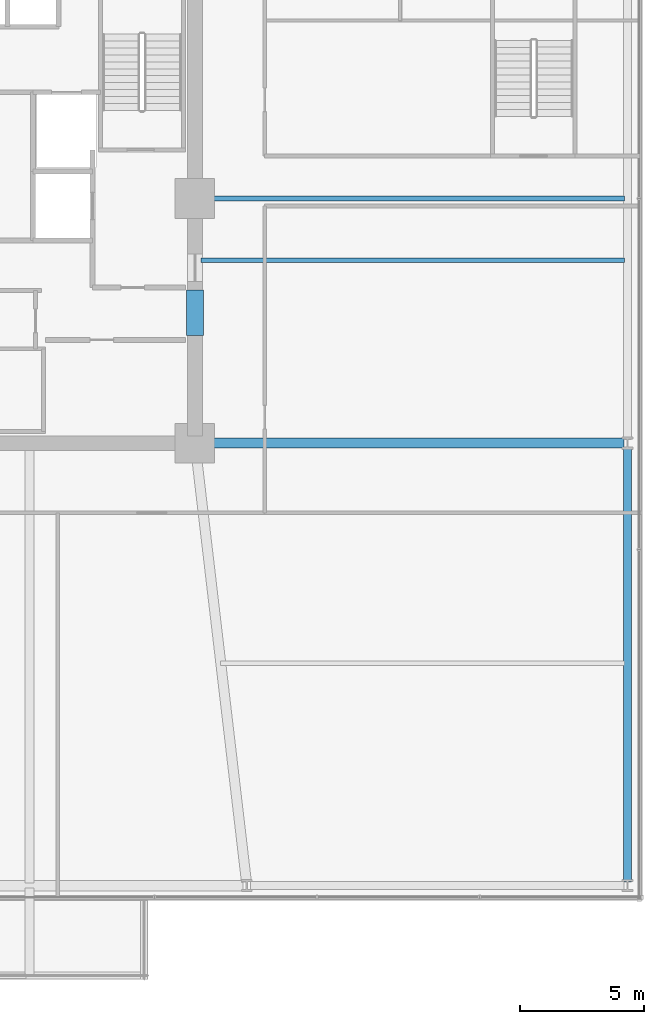
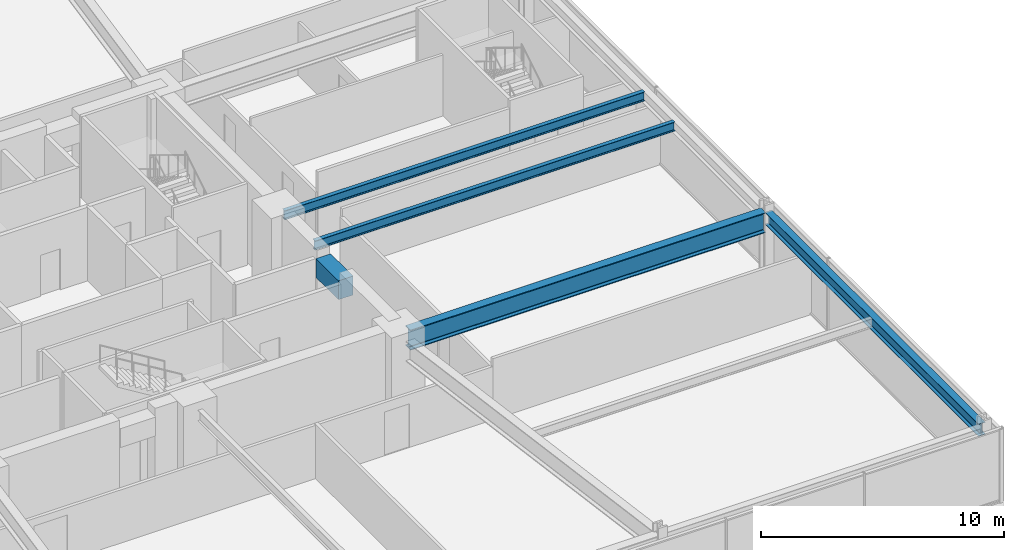
# One storey, part 16 of 39: 5 beams.
"""IFC4 building model written with IfcOpenShell, lengths in metres."""

import ifcopenshell
import ifcopenshell.guid

model = None  # the IFC model being written
_history = None  # IfcOwnerHistory: only IFC2X3 demands one
_inside = {}  # id of a spatial element -> (the spatial element, [elements in it])
_under = {}  # id of a project, library or spatial element -> (it, [spatial elements below it])
_declared = {}  # id of a project -> (the project, [libraries it declares])
_typed = {}  # id of a type object -> (the type object, [elements of that type])
_made_of = {}  # id of a material, layer set ... -> (it, [elements and type objects made of it])


def new_model(schema):
    """Start an empty IFC model of exactly this schema.

    Asked for "IFC4X3", IfcOpenShell would pick the latest addendum, in which some entities
    have other attributes; the version numbers below select the first issue.
    IFC2X3 requires an IfcOwnerHistory on every rooted entity: one is made here for all.
    """
    global model, _history
    if schema == "IFC4X3":
        model = ifcopenshell.file(schema_version=(4, 3, 0, 0))
    else:
        model = ifcopenshell.file(schema=schema)
    _inside.clear()
    _under.clear()
    _declared.clear()
    _typed.clear()
    _made_of.clear()
    _history = None
    if model.schema == "IFC2X3":
        org = make("IfcOrganization", Name="unknown")
        user = make(
            "IfcPersonAndOrganization",
            ThePerson=make("IfcPerson", FamilyName="unknown"),
            TheOrganization=org,
        )
        app = make(
            "IfcApplication",
            ApplicationDeveloper=org,
            Version="unknown",
            ApplicationFullName="unknown",
            ApplicationIdentifier="unknown",
        )
        _history = make(
            "IfcOwnerHistory",
            OwningUser=user,
            OwningApplication=app,
            ChangeAction="ADDED",
            CreationDate=0,
        )
    return model


def make(cls, **values):
    """One entity of the class cls with the attributes given. An attribute that is None is left unset."""
    return model.create_entity(
        cls, **{name: value for name, value in values.items() if value is not None}
    )


def rooted(cls, **values):
    """An entity with a GlobalId (a new one), such as an element, a storey or a relation."""
    return make(cls, GlobalId=ifcopenshell.guid.new(), OwnerHistory=_history, **values)


def si_unit(unit_type, name, prefix=None):
    """IfcSIUnit, for example si_unit("LENGTHUNIT", "METRE", prefix="MILLI")."""
    return make("IfcSIUnit", UnitType=unit_type, Prefix=prefix, Name=name)


def assignment(units):
    """IfcUnitAssignment: the units of a project."""
    return None if units is None else make("IfcUnitAssignment", Units=units)


def point(xyz):
    """IfcCartesianPoint."""
    return None if xyz is None else make("IfcCartesianPoint", Coordinates=xyz)


def direction(xyz):
    """IfcDirection."""
    return None if xyz is None else make("IfcDirection", DirectionRatios=xyz)


def frame(location, z_axis=None, x_axis=None):
    """IfcAxis2Placement3D, a coordinate frame: its origin and axes. An axis left out is left unset."""
    return make(
        "IfcAxis2Placement3D",
        Location=point(location),
        Axis=direction(z_axis),
        RefDirection=direction(x_axis),
    )


def frame_2d(location, x_axis=None):
    """IfcAxis2Placement2D, a coordinate frame in the plane: its origin and x axis."""
    return make(
        "IfcAxis2Placement2D", Location=point(location), RefDirection=direction(x_axis)
    )


def origin():
    """The frame at (0, 0, 0) with its axes left unset."""
    return frame((0.0, 0.0, 0.0))


def origin_2d():
    """The frame at (0, 0) in the plane with its x axis left unset."""
    return frame_2d((0.0, 0.0))


def place(relative_to, where):
    """IfcLocalPlacement: puts the frame where relative to a parent placement (None: the world)."""
    return make(
        "IfcLocalPlacement", PlacementRelTo=relative_to, RelativePlacement=where
    )


def context(
    kind, dimensions, precision=None, world=None, true_north=None, identifier=None
):
    """IfcGeometricRepresentationContext, for example the 3D "Model" context."""
    return make(
        "IfcGeometricRepresentationContext",
        ContextIdentifier=identifier,
        ContextType=kind,
        CoordinateSpaceDimension=dimensions,
        Precision=precision,
        WorldCoordinateSystem=world,
        TrueNorth=true_north,
    )


def subcontext(parent, identifier, kind, view, scale=None):
    """IfcGeometricRepresentationSubContext, for example "Body" below "Model"."""
    return make(
        "IfcGeometricRepresentationSubContext",
        ContextIdentifier=identifier,
        ContextType=kind,
        ParentContext=parent,
        TargetScale=scale,
        TargetView=view,
    )


def project(units=None, contexts=None):
    """IfcProject with its units and contexts."""
    return rooted(
        "IfcProject",
        Name="project",
        RepresentationContexts=contexts,
        UnitsInContext=assignment(units),
    )


def spatial(cls, under=None, at=None, **own):
    """A site, building, storey or space (cls), placed at a placement, below another one or the project."""
    s = rooted(cls, ObjectPlacement=at, **own)
    if under is not None:
        _under.setdefault(under.id(), (under, []))[1].append(s)
    return s


def profile(cls, at=None, kind="AREA", **sizes):
    """A parametric profile (cls). Its sizes go by their IFC names, for example OverallWidth=200.0."""
    return make(cls, ProfileType=kind, Position=at, **sizes)


def rectangle(**sizes):
    """IfcRectangleProfileDef."""
    return profile("IfcRectangleProfileDef", **sizes)


def i_section(**sizes):
    """IfcIShapeProfileDef."""
    return profile("IfcIShapeProfileDef", **sizes)


def extrude(swept, where, along, depth):
    """IfcExtrudedAreaSolid: the profile swept, set in the frame where, extruded along a direction by depth."""
    return make(
        "IfcExtrudedAreaSolid",
        SweptArea=swept,
        Position=where,
        ExtrudedDirection=direction(along),
        Depth=depth,
    )


def shape(context_of_items, identifier, shape_type, items):
    """IfcShapeRepresentation: the items that make up one representation, for example the "Body"."""
    return make(
        "IfcShapeRepresentation",
        ContextOfItems=context_of_items,
        RepresentationIdentifier=identifier,
        RepresentationType=shape_type,
        Items=items,
    )


def material(Name=None, Category=None):
    """IfcMaterial."""
    return make("IfcMaterial", Name=Name, Category=Category)


def material_profile(
    of_material, cross_section, Name=None, Category=None, Priority=None
):
    """IfcMaterialProfile: a cross section and its material."""
    return make(
        "IfcMaterialProfile",
        Name=Name,
        Material=of_material,
        Profile=cross_section,
        Priority=Priority,
        Category=Category,
    )


def profile_set(profiles, Name=None, composite=None):
    """IfcMaterialProfileSet."""
    return make(
        "IfcMaterialProfileSet",
        Name=Name,
        MaterialProfiles=profiles,
        CompositeProfile=composite,
    )


def made_of(thing, what):
    """Note that an element or type object is made of a material, layer set ...; save() writes the relation."""
    if what is not None:
        _made_of.setdefault(what.id(), (what, []))[1].append(thing)
    return thing


def type_object(cls, material=None, **own):
    """A type object (cls), such as IfcWallType, which elements share."""
    return made_of(rooted(cls, **own), material)


def element(
    cls,
    number,
    at=None,
    inside=None,
    cuts=None,
    type_object=None,
    material=None,
    context=None,
    identifier="Body",
    shape_type=None,
    held_by="IfcProductDefinitionShape",
    body=None,
    shapes=None,
    **own,
):
    """One element of the class cls, such as IfcWall. Its Tag is "e" and its number.

    at: its placement. inside: the storey or other place that contains it. cuts: it is an
    opening in that element (IfcRelVoidsElement). A single representation is given by context,
    identifier, shape_type and body (its items); several are given by shapes. held_by: the class
    of the entity that holds the representations. save() writes the other relations.
    """
    e = rooted(cls, Tag="e%d" % number, ObjectPlacement=at, **own)
    if body is not None:
        shapes = [shape(context, identifier, shape_type, body)]
    if shapes is not None:
        e.Representation = make(held_by, Representations=shapes)
    if inside is not None:
        _inside.setdefault(inside.id(), (inside, []))[1].append(e)
    if cuts is not None:
        rooted(
            "IfcRelVoidsElement", RelatingBuildingElement=cuts, RelatedOpeningElement=e
        )
    if type_object is not None:
        _typed.setdefault(type_object.id(), (type_object, []))[1].append(e)
    return made_of(e, material)


def aggregate(whole, parts):
    """IfcRelAggregates: a whole, such as a stair, and the parts it consists of."""
    return rooted("IfcRelAggregates", RelatingObject=whole, RelatedObjects=parts)


def save(model, path):
    """Write the relations noted so far, then the file.

    IfcRelAggregates (storeys below a building ...), IfcRelContainedInSpatialStructure (elements
    in a storey), IfcRelDefinesByType, IfcRelAssociatesMaterial and IfcRelDeclares: one each for
    every whole, place, type object, material and project.
    """
    for whole, parts in _under.values():
        aggregate(whole, parts)
    for where, things in _inside.values():
        rooted(
            "IfcRelContainedInSpatialStructure",
            RelatedElements=things,
            RelatingStructure=where,
        )
    for kind, things in _typed.values():
        rooted("IfcRelDefinesByType", RelatedObjects=things, RelatingType=kind)
    for what, things in _made_of.values():
        rooted("IfcRelAssociatesMaterial", RelatedObjects=things, RelatingMaterial=what)
    for by, libraries in _declared.values():
        rooted("IfcRelDeclares", RelatingContext=by, RelatedDefinitions=libraries)
    model.write(path)


model = new_model("IFC4")

# Units and contexts
model_context = context("Model", 3, precision=1e-05, world=origin(), true_north=direction((0.0, 1.0)))
body_context = subcontext(model_context, "Body", "Model", "MODEL_VIEW")
ifc_project = project(units=[si_unit("LENGTHUNIT", "METRE"), si_unit("AREAUNIT", "SQUARE_METRE"), si_unit("VOLUMEUNIT", "CUBIC_METRE"), si_unit("PLANEANGLEUNIT", "RADIAN"), si_unit("MASSUNIT", "GRAM", prefix="KILO")], contexts=[model_context])

# Site, building, storey
site_placement = place(None, origin())
site = spatial("IfcSite", under=ifc_project, at=site_placement, CompositionType="ELEMENT")
building_placement = place(site_placement, origin())
building = spatial("IfcBuilding", under=site, at=building_placement, Name="Kolvaren Belvedere", CompositionType="ELEMENT")
storey_placement = place(building_placement, frame((0.0, 0.0, 15.199951171875)))
storey = spatial("IfcBuildingStorey", under=building, at=storey_placement, Name="L04", CompositionType="ELEMENT", Elevation=15.199951171875)

# Beams
ifc_material_1 = material(Name="Structural steel ASTM A992 Grade 50", Category="steel")
ifc_material_profile_1 = material_profile(ifc_material_1, i_section(OverallWidth=0.40087890625, OverallDepth=1.010986328125, WebThickness=0.023681640625, FlangeThickness=0.0419921875, FilletRadius=0.030029296875, at=origin_2d()), Name="W40X297")
ifc_profile_set_1 = profile_set([ifc_material_profile_1], Name="Structural steel ASTM A992 Grade 50")
beam_type_1 = type_object("IfcBeamType", Name="BM-BALL-W40X297", PredefinedType="BEAM", material=ifc_profile_set_1)
beam_1_placement = place(storey_placement, frame((10.35009765625, -9.89990234375, 3.194580078125), z_axis=(1.0, 0.0, 0.0), x_axis=(0.0, 1.0, 0.0)))
element("IfcBeam", 1, at=beam_1_placement, inside=storey, type_object=beam_type_1, Name="L04 East Interior Girder S", PredefinedType="BEAM", context=body_context, shape_type="SweptSolid", body=[
    extrude(i_section(OverallWidth=0.40087890625, OverallDepth=1.010986328125, WebThickness=0.023681640625, FlangeThickness=0.0419921875, FilletRadius=0.030029296875, at=origin_2d()), origin(), (0.0, 0.0, 1.0), 16.89990234375),
])
ifc_material_2 = material(Name="Structural steel ASTM A992 Grade 50", Category="steel")
ifc_material_profile_2 = material_profile(ifc_material_2, i_section(OverallWidth=0.19091796875, OverallDepth=0.4599609375, WebThickness=0.010009765625, FlangeThickness=0.01611328125, FilletRadius=0.014892578125, at=origin_2d()), Name="W18X55")
ifc_profile_set_2 = profile_set([ifc_material_profile_2], Name="Structural steel ASTM A992 Grade 50")
beam_type_2 = type_object("IfcBeamType", Name="BM-JOIST-W18X55", PredefinedType="BEAM", material=ifc_profile_set_2)
for number, where, z_axis, x_axis, name in (
    (2, (10.14990234375, -2.5, 3.469970703125), (1.0, 0.0, 0.0), (0.0, 1.0, 0.0), "L04 East Bay Floor Beam"),
    (3, (10.14990234375, 0.0, 3.469970703125), (1.0, 0.0, 0.0), (0.0, 1.0, 0.0), "L04 East Bay Floor Beam"),
):
    element("IfcBeam", number, at=place(storey_placement, frame(where, z_axis=z_axis, x_axis=x_axis)), inside=storey, type_object=beam_type_2, Name=name, PredefinedType="BEAM", context=body_context, shape_type="SweptSolid", body=[
        extrude(i_section(OverallWidth=0.19091796875, OverallDepth=0.4599609375, WebThickness=0.010009765625, FlangeThickness=0.01611328125, FilletRadius=0.014892578125, at=origin_2d()), origin(), (0.0, 0.0, 1.0), 17.130126953125),
    ])
ifc_material_3 = material(Name="Concrete C60/75", Category="concrete")
ifc_material_profile_3 = material_profile(ifc_material_3, rectangle(XDim=0.699951171875, YDim=0.949951171875, at=origin_2d()), Name="RC 700X950")
ifc_profile_set_3 = profile_set([ifc_material_profile_3], Name="Concrete C60/75")
beam_type_3 = type_object("IfcBeamType", Name="BM-LINT-950", PredefinedType="LINTEL", material=ifc_profile_set_3)
beam_2_placement = place(storey_placement, frame((9.89990234375, -5.550048828125, 3.22509765625), z_axis=(0.0, 1.0, 0.0), x_axis=(-1.0, 0.0, 0.0)))
element("IfcBeam", 4, at=beam_2_placement, inside=storey, type_object=beam_type_3, Name="L04 East Core Coupling Lintel", PredefinedType="LINTEL", context=body_context, shape_type="SweptSolid", body=[
    extrude(rectangle(XDim=0.699951171875, YDim=0.949951171875, at=origin_2d()), origin(), (0.0, 0.0, 1.0), 1.85009765625),
])
ifc_material_4 = material(Name="Structural steel ASTM A992 Grade 50", Category="steel")
ifc_material_profile_4 = material_profile(ifc_material_4, i_section(OverallWidth=0.324951171875, OverallDepth=0.615966796875, WebThickness=0.013916015625, FlangeThickness=0.021484375, FilletRadius=0.02001953125, at=origin_2d()), Name="W24X117")
ifc_profile_set_4 = profile_set([ifc_material_profile_4], Name="Structural steel ASTM A992 Grade 50")
beam_type_4 = type_object("IfcBeamType", Name="BM-SPAN-W24X117", PredefinedType="SPANDREL", material=ifc_profile_set_4)
beam_3_placement = place(storey_placement, frame((27.39990234375, -27.64990234375, 3.39208984375), z_axis=(0.0, 1.0, 0.0), x_axis=(-1.0, 0.0, 0.0)))
element("IfcBeam", 5, at=beam_3_placement, inside=storey, type_object=beam_type_4, Name="L04 E Podium Spandrel 1", PredefinedType="SPANDREL", context=body_context, shape_type="SweptSolid", body=[
    extrude(i_section(OverallWidth=0.324951171875, OverallDepth=0.615966796875, WebThickness=0.013916015625, FlangeThickness=0.021484375, FilletRadius=0.02001953125, at=origin_2d()), origin(), (0.0, 0.0, 1.0), 17.599853515625),
])

save(model, "model.ifc")
